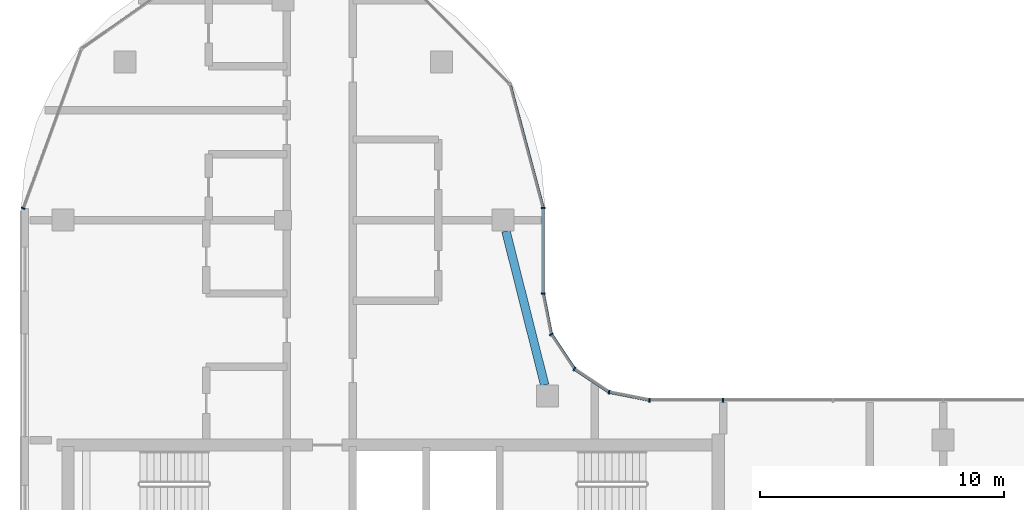
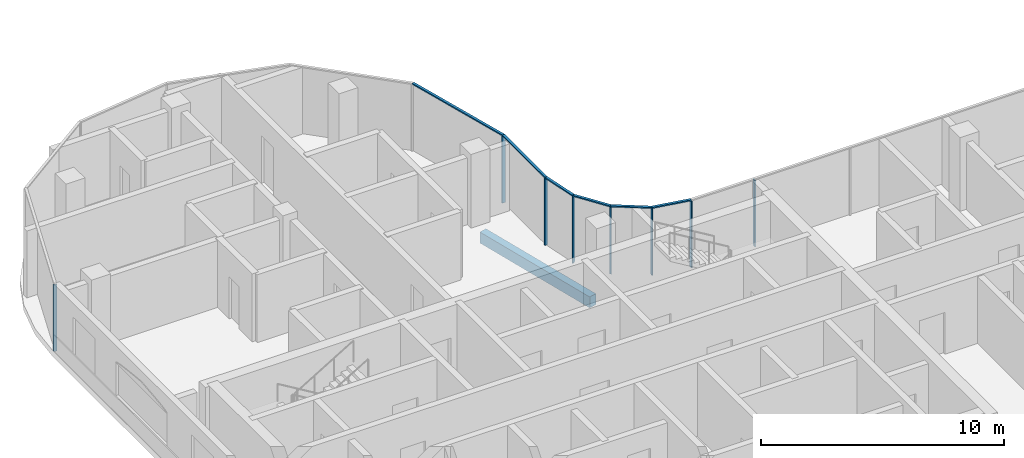
# One storey, part 2 of 19: 14 members, 1 beam, 4 elements without a shape of their own.
"""IFC4 building model written with IfcOpenShell, lengths in metres."""

from ifc_helpers import new_model, si_unit, direction, frame, origin, origin_2d, place, context, subcontext, project, spatial, rectangle, extrude, material, material_profile, profile_set, type_object, element, aggregate, save


model = new_model("IFC4")

# Units and contexts
model_context = context("Model", 3, precision=1e-05, world=origin(), true_north=direction((0.0, 1.0)))
body_context = subcontext(model_context, "Body", "Model", "MODEL_VIEW")
ifc_project = project(units=[si_unit("LENGTHUNIT", "METRE"), si_unit("AREAUNIT", "SQUARE_METRE"), si_unit("VOLUMEUNIT", "CUBIC_METRE"), si_unit("PLANEANGLEUNIT", "RADIAN"), si_unit("MASSUNIT", "GRAM", prefix="KILO")], contexts=[model_context])

# Site, building, storey
site_placement = place(None, origin())
site = spatial("IfcSite", under=ifc_project, at=site_placement, CompositionType="ELEMENT")
building_placement = place(site_placement, origin())
building = spatial("IfcBuilding", under=site, at=building_placement, Name="Ogive Portal Towers", CompositionType="ELEMENT")
storey_placement = place(building_placement, frame((0.0, 0.0, 203.199951171875)))
storey = spatial("IfcBuildingStorey", under=building, at=storey_placement, Name="L50", CompositionType="ELEMENT", Elevation=203.199951171875)

# Curtain wall, members
ifc_material_1 = material(Name="Glass, clear low-iron insulated glazing", Category="glass")
curtain_wall_type = type_object("IfcCurtainWallType", Name="CW FRONT RIBBON 4500", PredefinedType="NOTDEFINED", material=ifc_material_1)
curtain_wall_1_placement = place(storey_placement, origin())
curtain_wall_1 = element("IfcCurtainWall", 1, at=curtain_wall_1_placement, inside=storey, type_object=curtain_wall_type, Name="A:L50:f13:cw0", PredefinedType="NOTDEFINED")
ifc_material_2 = material(Name="Aluminium 6063 anodised", Category="aluminium")
ifc_material_profile_1 = material_profile(ifc_material_2, rectangle(XDim=0.159912109375, YDim=0.06005859375, at=origin_2d()), Name="AL 60x160")
ifc_profile_set_1 = profile_set([ifc_material_profile_1], Name="Aluminium 6063 anodised")
member_type_1 = type_object("IfcMemberType", Name="CW MULLION 60x160", PredefinedType="MULLION", material=ifc_profile_set_1)
member_1_placement = place(storey_placement, frame((58.5, 41.135009765625, 0.0), z_axis=(0.0, 0.0, 1.0), x_axis=(0.0, -1.0, 0.0)))
member_1 = element("IfcMember", 2, at=member_1_placement, type_object=member_type_1, Name="mullion", PredefinedType="MULLION", context=body_context, shape_type="SweptSolid", body=[
    extrude(rectangle(XDim=0.159912109375, YDim=0.06005859375, at=origin_2d()), origin(), (0.0, 0.0, 1.0), 3.340087890625),
])
member_2_placement = place(storey_placement, frame((55.4921875, 41.135009765625, 0.0), z_axis=(0.0, 0.0, 1.0), x_axis=(0.0, -1.0, 0.0)))
member_2 = element("IfcMember", 3, at=member_2_placement, type_object=member_type_1, Name="mullion", PredefinedType="MULLION", context=body_context, shape_type="SweptSolid", body=[
    extrude(rectangle(XDim=0.159912109375, YDim=0.06005859375, at=origin_2d()), origin(), (0.0, 0.0, 1.0), 3.340087890625),
])
aggregate(curtain_wall_1, [member_1, member_2])

curtain_wall_2_placement = place(storey_placement, origin())
curtain_wall_2 = element("IfcCurtainWall", 4, at=curtain_wall_2_placement, inside=storey, type_object=curtain_wall_type, Name="A:L50:f18:cw0", PredefinedType="NOTDEFINED")
member_3_placement = place(storey_placement, frame((51.135009765625, 45.4921875, 0.0), z_axis=(0.0, 0.0, 1.0), x_axis=(-1.0, 0.0, 0.0)))
member_3 = element("IfcMember", 5, at=member_3_placement, type_object=member_type_1, Name="mullion", PredefinedType="MULLION", context=body_context, shape_type="SweptSolid", body=[
    extrude(rectangle(XDim=0.159912109375, YDim=0.06005859375, at=origin_2d()), origin(), (0.0, 0.0, 1.0), 3.340087890625),
])
member_4_placement = place(storey_placement, frame((51.135009765625, 48.989501953125, 0.0), z_axis=(0.0, 0.0, 1.0), x_axis=(-1.0, 0.0, 0.0)))
member_4 = element("IfcMember", 6, at=member_4_placement, type_object=member_type_1, Name="mullion", PredefinedType="MULLION", context=body_context, shape_type="SweptSolid", body=[
    extrude(rectangle(XDim=0.159912109375, YDim=0.06005859375, at=origin_2d()), origin(), (0.0, 0.0, 1.0), 3.340087890625),
])

curtain_wall_3_placement = place(storey_placement, origin())
curtain_wall_3 = element("IfcCurtainWall", 7, at=curtain_wall_3_placement, inside=storey, type_object=curtain_wall_type, Name="A:L50:f14:cwa", PredefinedType="NOTDEFINED")
member_5_placement = place(storey_placement, frame((53.8291015625, 41.4658203125, 0.0), z_axis=(0.0, 0.0, 1.0), x_axis=(-0.195090322016, -0.980785280403, 0.0)))
member_5 = element("IfcMember", 8, at=member_5_placement, type_object=member_type_1, Name="mullion", PredefinedType="MULLION", context=body_context, shape_type="SweptSolid", body=[
    extrude(rectangle(XDim=0.159912109375, YDim=0.06005859375, at=origin_2d()), origin(), (0.0, 0.0, 1.0), 3.340087890625),
])
member_6_placement = place(storey_placement, frame((52.412353515625, 42.412353515625, 0.0), z_axis=(0.0, 0.0, 1.0), x_axis=(-0.55557023302, -0.831469612303, 0.0)))
member_6 = element("IfcMember", 9, at=member_6_placement, type_object=member_type_1, Name="mullion", PredefinedType="MULLION", context=body_context, shape_type="SweptSolid", body=[
    extrude(rectangle(XDim=0.159912109375, YDim=0.06005859375, at=origin_2d()), origin(), (0.0, 0.0, 1.0), 3.340087890625),
])
member_7_placement = place(storey_placement, frame((51.4658203125, 43.8291015625, 0.0), z_axis=(0.0, 0.0, 1.0), x_axis=(-0.831469612303, -0.55557023302, 0.0)))
member_7 = element("IfcMember", 10, at=member_7_placement, type_object=member_type_1, Name="mullion", PredefinedType="MULLION", context=body_context, shape_type="SweptSolid", body=[
    extrude(rectangle(XDim=0.159912109375, YDim=0.06005859375, at=origin_2d()), origin(), (0.0, 0.0, 1.0), 3.340087890625),
])

# Curtain wall, member
curtain_wall_4_placement = place(storey_placement, origin())
curtain_wall_4 = element("IfcCurtainWall", 11, at=curtain_wall_4_placement, inside=storey, type_object=curtain_wall_type, Name="A:L50:f19:cwa", PredefinedType="NOTDEFINED")
member_8_placement = place(storey_placement, frame((29.864990234375, 48.98583984375, 0.0), z_axis=(0.0, 0.0, 1.0), x_axis=(0.939692620786, -0.342020143326, 0.0)))
member_8 = element("IfcMember", 12, at=member_8_placement, type_object=member_type_1, Name="mullion", PredefinedType="MULLION", context=body_context, shape_type="SweptSolid", body=[
    extrude(rectangle(XDim=0.159912109375, YDim=0.06005859375, at=origin_2d()), origin(), (0.0, 0.0, 1.0), 3.340087890625),
])

# Member
ifc_material_profile_2 = material_profile(ifc_material_2, rectangle(XDim=0.1201171875, YDim=0.06005859375, at=origin_2d()), Name="AL 120x60")
ifc_profile_set_2 = profile_set([ifc_material_profile_2], Name="Aluminium 6063 anodised")
member_type_2 = type_object("IfcMemberType", Name="CW TRANSOM 60x120", PredefinedType="USERDEFINED", material=ifc_profile_set_2)
member_9_placement = place(storey_placement, frame((51.135009765625, 45.4921875, 3.3701171875), z_axis=(0.0, 1.0, 0.0), x_axis=(-1.0, 0.0, 0.0)))
member_9 = element("IfcMember", 13, at=member_9_placement, type_object=member_type_2, Name="transom", ObjectType="TRANSOM", PredefinedType="USERDEFINED", context=body_context, shape_type="SweptSolid", body=[
    extrude(rectangle(XDim=0.1201171875, YDim=0.06005859375, at=origin_2d()), origin(), (0.0, 0.0, 1.0), 3.497314453125),
])

aggregate(curtain_wall_2, [member_9, member_3, member_4])

member_10_placement = place(storey_placement, frame((55.4921875, 41.135009765625, 3.3701171875), z_axis=(-0.980785033743, 0.195091562056, 0.0), x_axis=(-0.195091562056, -0.980785033743, 0.0)))
member_10 = element("IfcMember", 14, at=member_10_placement, type_object=member_type_2, Name="transom", ObjectType="TRANSOM", PredefinedType="USERDEFINED", context=body_context, shape_type="SweptSolid", body=[
    extrude(rectangle(XDim=0.1201171875, YDim=0.06005859375, at=origin_2d()), origin(), (0.0, 0.0, 1.0), 1.695556640625),
])

member_11_placement = place(storey_placement, frame((53.8291015625, 41.4658203125, 3.3701171875), z_axis=(-0.831498776979, 0.555526582517, 0.0), x_axis=(-0.555526582517, -0.831498776979, 0.0)))
member_11 = element("IfcMember", 15, at=member_11_placement, type_object=member_type_2, Name="transom", ObjectType="TRANSOM", PredefinedType="USERDEFINED", context=body_context, shape_type="SweptSolid", body=[
    extrude(rectangle(XDim=0.1201171875, YDim=0.06005859375, at=origin_2d()), origin(), (0.0, 0.0, 1.0), 1.703857421875),
])

member_12_placement = place(storey_placement, frame((52.412353515625, 42.412353515625, 3.3701171875), z_axis=(-0.555526582517, 0.831498776979, 0.0), x_axis=(-0.831498776979, -0.555526582517, 0.0)))
member_12 = element("IfcMember", 16, at=member_12_placement, type_object=member_type_2, Name="transom", ObjectType="TRANSOM", PredefinedType="USERDEFINED", context=body_context, shape_type="SweptSolid", body=[
    extrude(rectangle(XDim=0.1201171875, YDim=0.06005859375, at=origin_2d()), origin(), (0.0, 0.0, 1.0), 1.703857421875),
])

member_13_placement = place(storey_placement, frame((51.4658203125, 43.8291015625, 3.3701171875), z_axis=(-0.195091562056, 0.980785033743, 0.0), x_axis=(-0.980785033743, -0.195091562056, 0.0)))
member_13 = element("IfcMember", 17, at=member_13_placement, type_object=member_type_2, Name="transom", ObjectType="TRANSOM", PredefinedType="USERDEFINED", context=body_context, shape_type="SweptSolid", body=[
    extrude(rectangle(XDim=0.1201171875, YDim=0.06005859375, at=origin_2d()), origin(), (0.0, 0.0, 1.0), 1.695556640625),
])

aggregate(curtain_wall_3, [member_10, member_11, member_12, member_13, member_5, member_6, member_7])

member_14_placement = place(storey_placement, frame((51.135009765625, 48.989501953125, 3.3701171875), z_axis=(-0.258830508272, 0.965922754669, 0.0), x_axis=(-0.965922754669, -0.258830508272, 0.0)))
member_14 = element("IfcMember", 18, at=member_14_placement, type_object=member_type_2, Name="transom", ObjectType="TRANSOM", PredefinedType="USERDEFINED", context=body_context, shape_type="SweptSolid", body=[
    extrude(rectangle(XDim=0.1201171875, YDim=0.06005859375, at=origin_2d()), origin(), (0.0, 0.0, 1.0), 5.255859375),
])

aggregate(curtain_wall_4, [member_14, member_8])

# Beam
ifc_material_3 = material(Name="Concrete C50/60", Category="concrete")
ifc_material_profile_3 = material_profile(ifc_material_3, rectangle(XDim=0.35009765625, YDim=0.550048828125, at=origin_2d()), Name="RC 350x550")
ifc_profile_set_3 = profile_set([ifc_material_profile_3], Name="Concrete C50/60")
beam_type = type_object("IfcBeamType", Name="SPANDREL BEAM RC 350x550", PredefinedType="BEAM", material=ifc_profile_set_3)
beam_placement = place(storey_placement, frame((49.61328125, 48.050048828125, -0.574951171875), z_axis=(0.244129438789, -0.969742655098, 0.0), x_axis=(0.969742655098, 0.244129438789, 0.0)))
element("IfcBeam", 19, at=beam_placement, inside=storey, type_object=beam_type, Name="Spandrel beam L50", PredefinedType="BEAM", context=body_context, shape_type="SweptSolid", body=[
    extrude(rectangle(XDim=0.35009765625, YDim=0.550048828125, at=origin_2d()), origin(), (0.0, 0.0, 1.0), 6.486328125),
])

save(model, "model.ifc")
